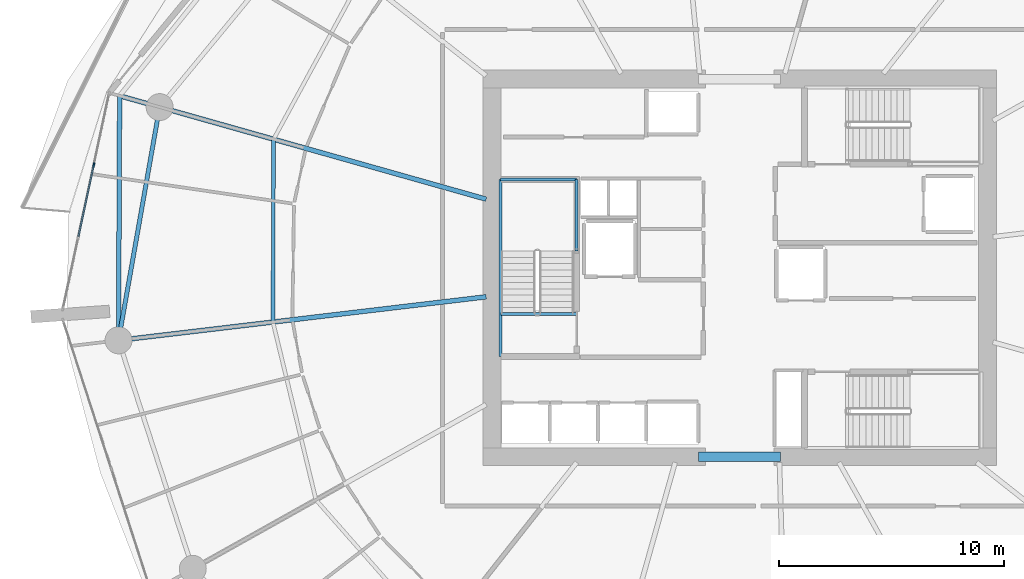
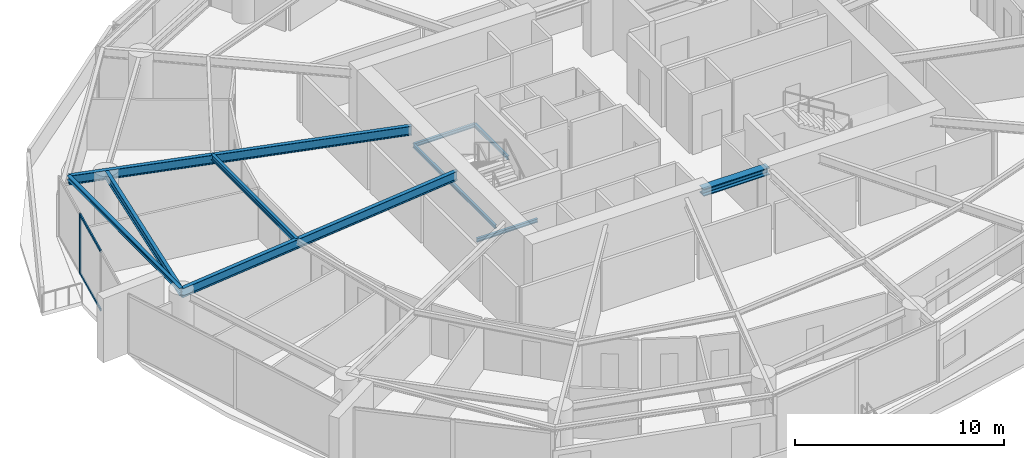
# One storey, part 6 of 22: 10 beams, 3 members, 1 element without a shape of its own.
"""IFC4 building model written with IfcOpenShell, lengths in metres."""

from ifc_helpers import new_model, si_unit, direction, frame, origin, origin_2d, place, context, subcontext, project, spatial, rectangle, i_section, extrude, material, layer, layer_set, material_profile, profile_set, type_object, element, aggregate, save


model = new_model("IFC4")

# Units and contexts
model_context = context("Model", 3, precision=1e-05, world=origin(), true_north=direction((0.0, 1.0)))
body_context = subcontext(model_context, "Body", "Model", "MODEL_VIEW")
ifc_project = project(units=[si_unit("LENGTHUNIT", "METRE"), si_unit("AREAUNIT", "SQUARE_METRE"), si_unit("VOLUMEUNIT", "CUBIC_METRE"), si_unit("PLANEANGLEUNIT", "RADIAN"), si_unit("MASSUNIT", "GRAM", prefix="KILO")], contexts=[model_context])

# Site, building, storey
site_placement = place(None, origin())
site = spatial("IfcSite", under=ifc_project, at=site_placement, CompositionType="ELEMENT")
building_placement = place(site_placement, origin())
building = spatial("IfcBuilding", under=site, at=building_placement, Name="Kazma Halo Residences", CompositionType="ELEMENT")
storey_placement = place(building_placement, frame((0.0, 0.0, 93.89990234375)))
storey = spatial("IfcBuildingStorey", under=building, at=storey_placement, Name="L23", CompositionType="ELEMENT", Elevation=93.89990234375)

# Beams
ifc_material_1 = material(Name="Steel S355", Category="steel")
ifc_material_profile_1 = material_profile(ifc_material_1, i_section(OverallWidth=0.201904296875, OverallDepth=0.2470703125, WebThickness=0.00732421875, FlangeThickness=0.010986328125, FilletRadius=0.011962890625, at=origin_2d()), Name="W250x49.1")
ifc_profile_set_1 = profile_set([ifc_material_profile_1], Name="Steel S355")
beam_type_1 = type_object("IfcBeamType", Name="BM-BAL-CANT", PredefinedType="BEAM", material=ifc_profile_set_1)
beam_1_placement = place(storey_placement, frame((20.8427734375, 49.6591796875, 3.376708984375), z_axis=(-0.004532963616, -0.999989726068, 0.0), x_axis=(0.999989726068, -0.004532963616, 0.0)))
element("IfcBeam", 1, at=beam_1_placement, inside=storey, type_object=beam_type_1, Name="L23 wave-balcony tie beam 07", PredefinedType="BEAM", context=body_context, shape_type="SweptSolid", body=[
    extrude(i_section(OverallWidth=0.201904296875, OverallDepth=0.2470703125, WebThickness=0.00732421875, FlangeThickness=0.010986328125, FilletRadius=0.011962890625, at=origin_2d()), origin(), (0.0, 0.0, 1.0), 10.87939453125),
])
ifc_material_profile_2 = material_profile(ifc_material_1, i_section(OverallWidth=0.408935546875, OverallDepth=0.425048828125, WebThickness=0.03271484375, FlangeThickness=0.052490234375, FilletRadius=0.02001953125, at=origin_2d()), Name="W360x421")
ifc_profile_set_2 = profile_set([ifc_material_profile_2], Name="Steel S355")
beam_type_2 = type_object("IfcBeamType", Name="BM-CORE-W360H", PredefinedType="BEAM", material=ifc_profile_set_2)
beam_2_placement = place(storey_placement, frame((46.60009765625, 33.60009765625, 3.28759765625), z_axis=(1.0, 0.0, 0.0), x_axis=(0.0, 1.0, 0.0)))
element("IfcBeam", 2, at=beam_2_placement, inside=storey, type_object=beam_type_2, Name="L23 core coupling beam S", PredefinedType="BEAM", context=body_context, shape_type="SweptSolid", body=[
    extrude(i_section(OverallWidth=0.408935546875, OverallDepth=0.425048828125, WebThickness=0.03271484375, FlangeThickness=0.052490234375, FilletRadius=0.02001953125, at=origin_2d()), origin(), (0.0, 0.0, 1.0), 3.64990234375),
])
ifc_material_profile_3 = material_profile(ifc_material_1, i_section(OverallWidth=0.208984375, OverallDepth=0.532958984375, WebThickness=0.01025390625, FlangeThickness=0.015625, FilletRadius=0.01611328125, at=origin_2d()), Name="W530x92")
ifc_profile_set_3 = profile_set([ifc_material_profile_3], Name="Steel S355")
beam_type_3 = type_object("IfcBeamType", Name="BM-RAD-W530", PredefinedType="BEAM", material=ifc_profile_set_3)
beam_3_placement = place(storey_placement, frame((37.14990234375, 45.06005859375, 3.233642578125), z_axis=(-0.962454695383, 0.271442368351, 0.0), x_axis=(-0.271442368351, -0.962454695383, 0.0)))
element("IfcBeam", 3, at=beam_3_placement, inside=storey, type_object=beam_type_3, Name="L23 radial floor beam 07", PredefinedType="BEAM", context=body_context, shape_type="SweptSolid", body=[
    extrude(i_section(OverallWidth=0.208984375, OverallDepth=0.532958984375, WebThickness=0.01025390625, FlangeThickness=0.015625, FilletRadius=0.01611328125, at=origin_2d()), origin(), (0.0, 0.0, 1.0), 16.943359375),
])
beam_4_placement = place(storey_placement, frame((37.14990234375, 40.7158203125, 3.233642578125), z_axis=(-0.99306759037, -0.117544718963, 0.0), x_axis=(0.117544718963, -0.99306759037, 0.0)))
element("IfcBeam", 4, at=beam_4_placement, inside=storey, type_object=beam_type_3, Name="L23 radial floor beam 08", PredefinedType="BEAM", context=body_context, shape_type="SweptSolid", body=[
    extrude(i_section(OverallWidth=0.208984375, OverallDepth=0.532958984375, WebThickness=0.01025390625, FlangeThickness=0.015625, FilletRadius=0.01611328125, at=origin_2d()), origin(), (0.0, 0.0, 1.0), 16.470703125),
])
ifc_material_profile_4 = material_profile(ifc_material_1, i_section(OverallWidth=0.1650390625, OverallDepth=0.31005859375, WebThickness=0.005859375, FlangeThickness=0.009765625, FilletRadius=0.011962890625, at=origin_2d()), Name="W310x38.7")
ifc_profile_set_4 = profile_set([ifc_material_profile_4], Name="Steel S355")
beam_type_4 = type_object("IfcBeamType", Name="BM-SEC-W310B", PredefinedType="JOIST", material=ifc_profile_set_4)
beam_5_placement = place(storey_placement, frame((27.69189453125, 47.7275390625, 3.34521484375), z_axis=(-0.003541500645, -0.999993728867, 0.0), x_axis=(0.999993728867, -0.003541500645, 0.0)))
element("IfcBeam", 5, at=beam_5_placement, inside=storey, type_object=beam_type_4, Name="L23 circumferential floor joist 07", PredefinedType="JOIST", context=body_context, shape_type="SweptSolid", body=[
    extrude(i_section(OverallWidth=0.1650390625, OverallDepth=0.31005859375, WebThickness=0.005859375, FlangeThickness=0.009765625, FilletRadius=0.011962890625, at=origin_2d()), origin(), (0.0, 0.0, 1.0), 8.134521484375),
])
ifc_material_profile_5 = material_profile(ifc_material_1, i_section(OverallWidth=0.18994140625, OverallDepth=0.45703125, WebThickness=0.009033203125, FlangeThickness=0.014404296875, FilletRadius=0.01611328125, at=origin_2d()), Name="W460x74")
ifc_profile_set_5 = profile_set([ifc_material_profile_5], Name="Steel S355")
beam_type_5 = type_object("IfcBeamType", Name="BM-SPN-W460", PredefinedType="BEAM", material=ifc_profile_set_5)
beam_6_placement = place(storey_placement, frame((22.623291015625, 49.156982421875, 3.271484375), z_axis=(-0.173653159051, -0.984806874647, 0.0), x_axis=(0.984806874647, -0.173653159051, 0.0)))
element("IfcBeam", 6, at=beam_6_placement, inside=storey, type_object=beam_type_5, Name="L23 perimeter ring beam 07", PredefinedType="BEAM", context=body_context, shape_type="SweptSolid", body=[
    extrude(i_section(OverallWidth=0.18994140625, OverallDepth=0.45703125, WebThickness=0.009033203125, FlangeThickness=0.014404296875, FilletRadius=0.01611328125, at=origin_2d()), origin(), (0.0, 0.0, 1.0), 10.537353515625),
])
ifc_material_profile_6 = material_profile(ifc_material_1, i_section(OverallWidth=0.133056640625, OverallDepth=0.20703125, WebThickness=0.005859375, FlangeThickness=0.00830078125, FilletRadius=0.010009765625, at=origin_2d()), Name="W200x26.6")
ifc_profile_set_6 = profile_set([ifc_material_profile_6], Name="Steel S355")
beam_type_6 = type_object("IfcBeamType", Name="BM-TRIM-W200", PredefinedType="BEAM", material=ifc_profile_set_6)
beam_7_placement = place(storey_placement, frame((37.800048828125, 39.949951171875, -0.35986328125), z_axis=(1.0, 0.0, 0.0), x_axis=(0.0, 1.0, 0.0)))
element("IfcBeam", 7, at=beam_7_placement, inside=storey, type_object=beam_type_6, Name="L23 ST-01 floor landing support beam", PredefinedType="BEAM", context=body_context, shape_type="SweptSolid", body=[
    extrude(i_section(OverallWidth=0.133056640625, OverallDepth=0.20703125, WebThickness=0.005859375, FlangeThickness=0.00830078125, FilletRadius=0.010009765625, at=origin_2d()), origin(), (0.0, 0.0, 1.0), 3.3798828125),
])
beam_8_placement = place(storey_placement, frame((37.780029296875, 38.06005859375, 1.570068359375), z_axis=(0.0, 1.0, 0.0), x_axis=(-1.0, 0.0, 0.0)))
element("IfcBeam", 8, at=beam_8_placement, inside=storey, type_object=beam_type_6, Name="L23 ST-01 landing west wall ledger", PredefinedType="BEAM", context=body_context, shape_type="SweptSolid", body=[
    extrude(i_section(OverallWidth=0.133056640625, OverallDepth=0.20703125, WebThickness=0.005859375, FlangeThickness=0.00830078125, FilletRadius=0.010009765625, at=origin_2d()), origin(), (0.0, 0.0, 1.0), 7.8798828125),
])
beam_9_placement = place(storey_placement, frame((41.179931640625, 42.75, 1.570068359375), z_axis=(0.0, 1.0, 0.0), x_axis=(-1.0, 0.0, 0.0)))
element("IfcBeam", 9, at=beam_9_placement, inside=storey, type_object=beam_type_6, Name="L23 ST-01 landing east wall ledger", PredefinedType="BEAM", context=body_context, shape_type="SweptSolid", body=[
    extrude(i_section(OverallWidth=0.133056640625, OverallDepth=0.20703125, WebThickness=0.005859375, FlangeThickness=0.00830078125, FilletRadius=0.010009765625, at=origin_2d()), origin(), (0.0, 0.0, 1.0), 3.18994140625),
])
beam_10_placement = place(storey_placement, frame((37.780029296875, 45.93994140625, 1.570068359375), z_axis=(1.0, 0.0, 0.0), x_axis=(0.0, 1.0, 0.0)))
element("IfcBeam", 10, at=beam_10_placement, inside=storey, type_object=beam_type_6, Name="L23 ST-01 landing end wall ledger", PredefinedType="BEAM", context=body_context, shape_type="SweptSolid", body=[
    extrude(i_section(OverallWidth=0.133056640625, OverallDepth=0.20703125, WebThickness=0.005859375, FlangeThickness=0.00830078125, FilletRadius=0.010009765625, at=origin_2d()), origin(), (0.0, 0.0, 1.0), 3.39990234375),
])

# Curtain wall, members
ifc_material_2 = material(Name="Aluminium AW-6063 T6 and Triple-Silver Low-E Glass", Category="aluminium")
ifc_layer = layer(ifc_material_2, 0.199951171875)
ifc_layer_set = layer_set([ifc_layer], Name="Aluminium AW-6063 T6 and Triple-Silver Low-E Glass")
curtain_wall_type = type_object("IfcCurtainWallType", Name="CW-SYS-3", PredefinedType="NOTDEFINED", material=ifc_layer_set)
curtain_wall_placement = place(storey_placement, origin())
curtain_wall = element("IfcCurtainWall", 11, at=curtain_wall_placement, inside=storey, type_object=curtain_wall_type, Name="L23 unitised curtain wall B07", PredefinedType="NOTDEFINED")
ifc_material_3 = material(Name="Aluminium AW-6063 T6", Category="aluminium")
ifc_material_profile_7 = material_profile(ifc_material_3, rectangle(XDim=0.070068359375, YDim=0.199951171875, at=origin_2d()), Name="CWM-70x200")
ifc_profile_set_7 = profile_set([ifc_material_profile_7], Name="Aluminium AW-6063 T6")
member_type_1 = type_object("IfcMemberType", Name="CW-SYS-3-MUL", PredefinedType="MULLION", material=ifc_profile_set_7)
member_1_placement = place(storey_placement, frame((19.69287109375, 46.5791015625, 0.0), z_axis=(0.0, 0.0, 1.0), x_axis=(0.977774176093, -0.209660822677, 0.0)))
member_1 = element("IfcMember", 12, at=member_1_placement, type_object=member_type_1, Name="CWS-3 mullion 2", PredefinedType="MULLION", context=body_context, shape_type="SweptSolid", body=[
    extrude(rectangle(XDim=0.070068359375, YDim=0.199951171875, at=origin_2d()), origin(), (0.0, 0.0, 1.0), 3.5),
])
ifc_material_profile_8 = material_profile(ifc_material_3, rectangle(XDim=0.070068359375, YDim=0.14990234375, at=origin_2d()), Name="CWT-70x150")
ifc_profile_set_8 = profile_set([ifc_material_profile_8], Name="Aluminium AW-6063 T6")
member_type_2 = type_object("IfcMemberType", Name="CW-SYS-3-TRN", PredefinedType="USERDEFINED", material=ifc_profile_set_8)
member_2_placement = place(storey_placement, frame((19.685546875, 46.544921875, 0.03515625), z_axis=(-0.209627675811, -0.977781283076, 0.0), x_axis=(0.977781283076, -0.209627675811, 0.0)))
member_2 = element("IfcMember", 13, at=member_2_placement, type_object=member_type_2, Name="CWS-3 transom 2.1", ObjectType="TRANSOM", PredefinedType="USERDEFINED", context=body_context, shape_type="SweptSolid", body=[
    extrude(rectangle(XDim=0.070068359375, YDim=0.14990234375, at=origin_2d()), origin(), (0.0, 0.0, 1.0), 3.213134765625),
])
member_3_placement = place(storey_placement, frame((19.685546875, 46.544921875, 3.465087890625), z_axis=(-0.209627675811, -0.977781283076, 0.0), x_axis=(0.977781283076, -0.209627675811, 0.0)))
member_3 = element("IfcMember", 14, at=member_3_placement, type_object=member_type_2, Name="CWS-3 transom 2.2", ObjectType="TRANSOM", PredefinedType="USERDEFINED", context=body_context, shape_type="SweptSolid", body=[
    extrude(rectangle(XDim=0.070068359375, YDim=0.14990234375, at=origin_2d()), origin(), (0.0, 0.0, 1.0), 3.213134765625),
])
aggregate(curtain_wall, [member_1, member_2, member_3])

save(model, "model.ifc")
